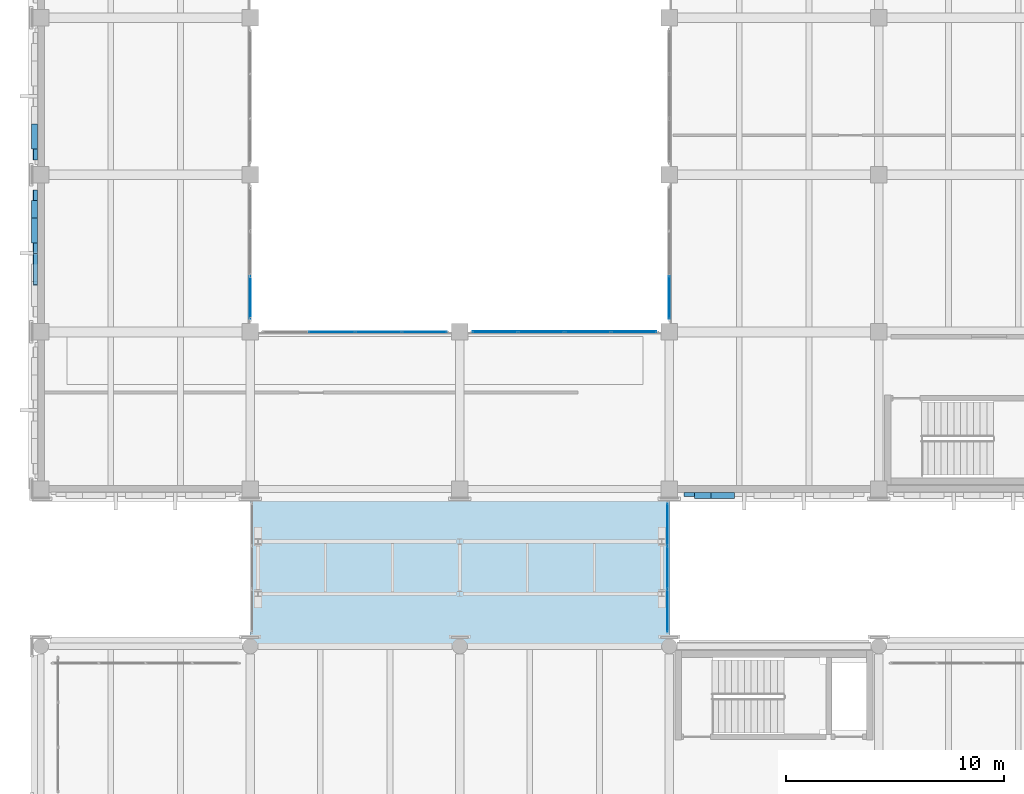
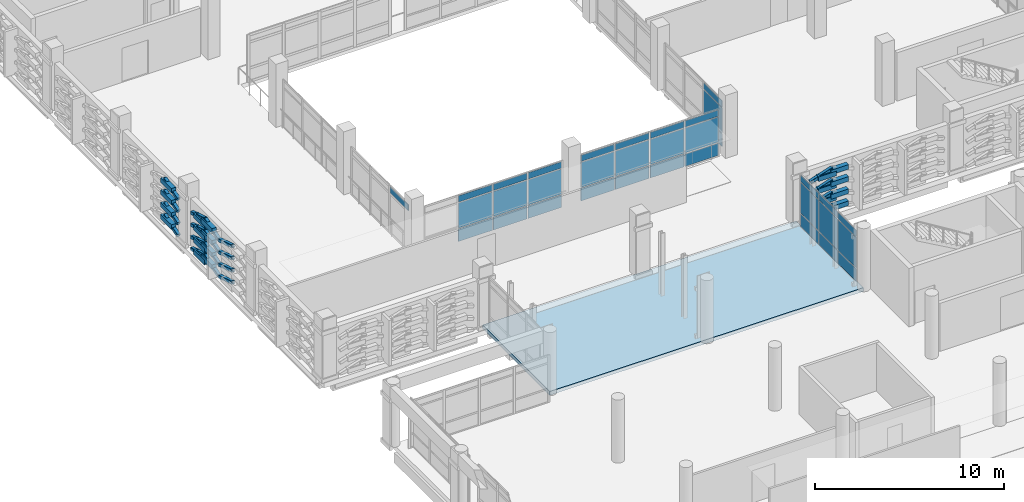
# One storey, part 130 of 180: 74 plates, 1 slab, 5 elements without a shape of their own.
"""IFC4 building model written with IfcOpenShell, lengths in metres."""

from ifc_helpers import new_model, si_unit, direction, frame, origin, origin_2d, place, context, subcontext, project, spatial, polyline, rectangle, hollow_rectangle, outline, extrude, material, layer, layer_set, material_profile, profile_set, type_object, element, aggregate, save


model = new_model("IFC4")

# Units and contexts
model_context = context("Model", 3, precision=1e-05, world=origin(), true_north=direction((0.0, 1.0)))
body_context = subcontext(model_context, "Body", "Model", "MODEL_VIEW")
ifc_project = project(units=[si_unit("LENGTHUNIT", "METRE"), si_unit("AREAUNIT", "SQUARE_METRE"), si_unit("VOLUMEUNIT", "CUBIC_METRE"), si_unit("PLANEANGLEUNIT", "RADIAN"), si_unit("MASSUNIT", "GRAM", prefix="KILO")], contexts=[model_context])

# Site, building, storey
site_placement = place(None, origin())
site = spatial("IfcSite", under=ifc_project, at=site_placement, CompositionType="ELEMENT")
building_placement = place(site_placement, origin())
building = spatial("IfcBuilding", under=site, at=building_placement, Name="Asteropetra Specialist Clinic", CompositionType="ELEMENT")
storey_placement = place(building_placement, frame((0.0, 0.0, 4.419921875)))
storey = spatial("IfcBuildingStorey", under=building, at=storey_placement, Name="L01", CompositionType="ELEMENT", Elevation=4.419921875)

# Plates
ifc_material_1 = material(Name="Chevron emerald aluminium 6063-T6", Category="aluminium")
ifc_material_profile = material_profile(ifc_material_1, hollow_rectangle(XDim=0.199951171875, YDim=0.199951171875, WallThickness=0.010009765625, InnerFilletRadius=0.008056640625, OuterFilletRadius=0.01611328125, at=origin_2d()), Name="SHS 200x200x10.0")
ifc_profile_set = profile_set([ifc_material_profile], Name="Chevron emerald aluminium 6063-T6")
plate_type_1 = type_object("IfcPlateType", Name="CHV-RIB-200", PredefinedType="SHEET", material=ifc_profile_set)
for number, where, z_axis, x_axis, name in (
    (1, (29.514892578125, 69.347900390625, 0.050048828125), (0.95244216645, 0.0, 0.304719411211), (0.0, 1.0, 0.0), "Chevron Facade Screen Fin CVR-0443"),
    (2, (29.514892578125, 69.347900390625, 0.820068359375), (0.95244216645, 0.0, 0.304719411211), (0.0, 1.0, 0.0), "Chevron Facade Screen Fin CVR-0445"),
    (3, (29.514892578125, 69.347900390625, 1.6201171875), (0.95244216645, 0.0, 0.304719411211), (0.0, 1.0, 0.0), "Chevron Facade Screen Fin CVR-0447"),
    (4, (29.514892578125, 69.347900390625, 2.400146484375), (0.95244216645, 0.0, 0.304719411211), (0.0, 1.0, 0.0), "Chevron Facade Screen Fin CVR-0449"),
):
    element("IfcPlate", number, at=place(storey_placement, frame(where, z_axis=z_axis, x_axis=x_axis)), inside=storey, type_object=plate_type_1, Name=name, PredefinedType="SHEET", context=body_context, shape_type="SweptSolid", body=[
        extrude(hollow_rectangle(XDim=0.199951171875, YDim=0.199951171875, WallThickness=0.010009765625, InnerFilletRadius=0.008056640625, OuterFilletRadius=0.01611328125, at=origin_2d()), origin(), (0.0, 0.0, 1.0), 1.415771484375),
    ])
plate_1_placement = place(storey_placement, frame((-0.251953125, 83.284912109375, 0.050048828125), z_axis=(0.0, -0.952491984317, 0.304563654777), x_axis=(1.0, 0.0, 0.0)))
element("IfcPlate", 5, at=plate_1_placement, inside=storey, type_object=plate_type_1, Name="Chevron Facade Screen Fin CVR-0699", PredefinedType="SHEET", context=body_context, shape_type="SweptSolid", body=[
    extrude(hollow_rectangle(XDim=0.199951171875, YDim=0.199951171875, WallThickness=0.010009765625, InnerFilletRadius=0.008056640625, OuterFilletRadius=0.01611328125, at=origin_2d()), origin(), (0.0, 0.0, 1.0), 1.50390625),
])
plate_2_placement = place(storey_placement, frame((-0.251953125, 81.8525390625, 0.508056640625), z_axis=(0.0, -0.952507040007, -0.304516565619), x_axis=(1.0, 0.0, 0.0)))
element("IfcPlate", 6, at=plate_2_placement, inside=storey, type_object=plate_type_1, Name="Chevron Facade Screen Fin CVR-0700", PredefinedType="SHEET", context=body_context, shape_type="SweptSolid", body=[
    extrude(hollow_rectangle(XDim=0.199951171875, YDim=0.199951171875, WallThickness=0.010009765625, InnerFilletRadius=0.008056640625, OuterFilletRadius=0.01611328125, at=origin_2d()), origin(), (0.0, 0.0, 1.0), 1.504150390625),
])
plate_3_placement = place(storey_placement, frame((-0.251953125, 83.284912109375, 0.820068359375), z_axis=(0.0, -0.952491984317, 0.304563654777), x_axis=(1.0, 0.0, 0.0)))
element("IfcPlate", 7, at=plate_3_placement, inside=storey, type_object=plate_type_1, Name="Chevron Facade Screen Fin CVR-0701", PredefinedType="SHEET", context=body_context, shape_type="SweptSolid", body=[
    extrude(hollow_rectangle(XDim=0.199951171875, YDim=0.199951171875, WallThickness=0.010009765625, InnerFilletRadius=0.008056640625, OuterFilletRadius=0.01611328125, at=origin_2d()), origin(), (0.0, 0.0, 1.0), 1.50390625),
])
plate_4_placement = place(storey_placement, frame((-0.251953125, 81.8525390625, 1.278076171875), z_axis=(0.0, -0.952507040007, -0.304516565619), x_axis=(1.0, 0.0, 0.0)))
element("IfcPlate", 8, at=plate_4_placement, inside=storey, type_object=plate_type_1, Name="Chevron Facade Screen Fin CVR-0702", PredefinedType="SHEET", context=body_context, shape_type="SweptSolid", body=[
    extrude(hollow_rectangle(XDim=0.199951171875, YDim=0.199951171875, WallThickness=0.010009765625, InnerFilletRadius=0.008056640625, OuterFilletRadius=0.01611328125, at=origin_2d()), origin(), (0.0, 0.0, 1.0), 1.504150390625),
])
plate_5_placement = place(storey_placement, frame((-0.251953125, 83.284912109375, 1.6201171875), z_axis=(0.0, -0.952491984317, 0.304563654777), x_axis=(1.0, 0.0, 0.0)))
element("IfcPlate", 9, at=plate_5_placement, inside=storey, type_object=plate_type_1, Name="Chevron Facade Screen Fin CVR-0703", PredefinedType="SHEET", context=body_context, shape_type="SweptSolid", body=[
    extrude(hollow_rectangle(XDim=0.199951171875, YDim=0.199951171875, WallThickness=0.010009765625, InnerFilletRadius=0.008056640625, OuterFilletRadius=0.01611328125, at=origin_2d()), origin(), (0.0, 0.0, 1.0), 1.50390625),
])
plate_6_placement = place(storey_placement, frame((-0.251953125, 81.8525390625, 2.078125), z_axis=(0.0, -0.952507040007, -0.304516565619), x_axis=(1.0, 0.0, 0.0)))
element("IfcPlate", 10, at=plate_6_placement, inside=storey, type_object=plate_type_1, Name="Chevron Facade Screen Fin CVR-0704", PredefinedType="SHEET", context=body_context, shape_type="SweptSolid", body=[
    extrude(hollow_rectangle(XDim=0.199951171875, YDim=0.199951171875, WallThickness=0.010009765625, InnerFilletRadius=0.008056640625, OuterFilletRadius=0.01611328125, at=origin_2d()), origin(), (0.0, 0.0, 1.0), 1.504150390625),
])
plate_7_placement = place(storey_placement, frame((-0.251953125, 83.284912109375, 2.400146484375), z_axis=(0.0, -0.952491984317, 0.304563654777), x_axis=(1.0, 0.0, 0.0)))
element("IfcPlate", 11, at=plate_7_placement, inside=storey, type_object=plate_type_1, Name="Chevron Facade Screen Fin CVR-0705", PredefinedType="SHEET", context=body_context, shape_type="SweptSolid", body=[
    extrude(hollow_rectangle(XDim=0.199951171875, YDim=0.199951171875, WallThickness=0.010009765625, InnerFilletRadius=0.008056640625, OuterFilletRadius=0.01611328125, at=origin_2d()), origin(), (0.0, 0.0, 1.0), 1.50390625),
])
plate_8_placement = place(storey_placement, frame((-0.251953125, 81.8525390625, 2.858154296875), z_axis=(0.0, -0.952507040007, -0.304516565619), x_axis=(1.0, 0.0, 0.0)))
element("IfcPlate", 12, at=plate_8_placement, inside=storey, type_object=plate_type_1, Name="Chevron Facade Screen Fin CVR-0706", PredefinedType="SHEET", context=body_context, shape_type="SweptSolid", body=[
    extrude(hollow_rectangle(XDim=0.199951171875, YDim=0.199951171875, WallThickness=0.010009765625, InnerFilletRadius=0.008056640625, OuterFilletRadius=0.01611328125, at=origin_2d()), origin(), (0.0, 0.0, 1.0), 1.504150390625),
])
for number, where, z_axis, x_axis, name in (
    (13, (-0.251953125, 80.3798828125, 0.050048828125), (0.0, -0.952491984317, 0.304563654777), (1.0, 0.0, 0.0), "Chevron Facade Screen Fin CVR-0707"),
    (14, (-0.251953125, 80.3798828125, 0.820068359375), (0.0, -0.952491984317, 0.304563654777), (1.0, 0.0, 0.0), "Chevron Facade Screen Fin CVR-0709"),
    (15, (-0.251953125, 80.3798828125, 1.6201171875), (0.0, -0.952491984317, 0.304563654777), (1.0, 0.0, 0.0), "Chevron Facade Screen Fin CVR-0711"),
    (16, (-0.251953125, 80.3798828125, 2.400146484375), (0.0, -0.952491984317, 0.304563654777), (1.0, 0.0, 0.0), "Chevron Facade Screen Fin CVR-0713"),
    (17, (-0.251953125, 86.1474609375, 0.508056640625), (0.0, -0.952491984317, -0.304563654777), (1.0, 0.0, 0.0), "Chevron Facade Screen Fin CVR-0724"),
    (18, (-0.251953125, 86.1474609375, 1.278076171875), (0.0, -0.952491984317, -0.304563654777), (1.0, 0.0, 0.0), "Chevron Facade Screen Fin CVR-0726"),
    (19, (-0.251953125, 86.1474609375, 2.078125), (0.0, -0.952491984317, -0.304563654777), (1.0, 0.0, 0.0), "Chevron Facade Screen Fin CVR-0728"),
    (20, (-0.251953125, 86.1474609375, 2.858154296875), (0.0, -0.952491984317, -0.304563654777), (1.0, 0.0, 0.0), "Chevron Facade Screen Fin CVR-0730"),
):
    element("IfcPlate", number, at=place(storey_placement, frame(where, z_axis=z_axis, x_axis=x_axis)), inside=storey, type_object=plate_type_1, Name=name, PredefinedType="SHEET", context=body_context, shape_type="SweptSolid", body=[
        extrude(hollow_rectangle(XDim=0.199951171875, YDim=0.199951171875, WallThickness=0.010009765625, InnerFilletRadius=0.008056640625, OuterFilletRadius=0.01611328125, at=origin_2d()), origin(), (0.0, 0.0, 1.0), 1.50390625),
    ])

# Curtain wall, plates
ifc_material_2 = material(Name="Aluminium and low-E glass", Category="aluminium")
ifc_layer_1 = layer(ifc_material_2, 0.135009765625)
ifc_layer_set_1 = layer_set([ifc_layer_1], Name="Aluminium and low-E glass")
curtain_wall_type_1 = type_object("IfcCurtainWallType", Name="CW-SYS-09", PredefinedType="USERDEFINED", material=ifc_layer_set_1)
curtain_wall_1_placement = place(storey_placement, origin())
curtain_wall_1 = element("IfcCurtainWall", 21, at=curtain_wall_1_placement, inside=storey, type_object=curtain_wall_type_1, Name="Curtain Wall CW-104", ObjectType="STICK GLAZED COLONNADE", PredefinedType="USERDEFINED")
ifc_material_3 = material(Name="Low-E double glazing", Category="glass")
ifc_layer_2 = layer(ifc_material_3, 0.028076171875)
ifc_layer_set_2 = layer_set([ifc_layer_2], Name="Low-E double glazing")
plate_type_2 = type_object("IfcPlateType", Name="CWP-GLZ-28", PredefinedType="CURTAIN_PANEL", material=ifc_layer_set_2)
plate_9_placement = place(storey_placement, frame((28.719970703125, 67.978271484375, 0.06005859375), z_axis=(0.0, 0.0, 1.0), x_axis=(0.0, -1.0, 0.0)))
plate_9 = element("IfcPlate", 22, at=plate_9_placement, type_object=plate_type_2, Name="CW-104 panel 1.1", PredefinedType="CURTAIN_PANEL", context=body_context, shape_type="SweptSolid", body=[
    extrude(rectangle(XDim=1.9033203125, YDim=0.028076171875, at=origin_2d()), origin(), (0.0, 0.0, 1.0), 0.81005859375),
])
plate_10_placement = place(storey_placement, frame((28.719970703125, 67.978271484375, 0.93017578125), z_axis=(0.0, 0.0, 1.0), x_axis=(0.0, -1.0, 0.0)))
plate_10 = element("IfcPlate", 23, at=plate_10_placement, type_object=plate_type_2, Name="CW-104 panel 1.2", PredefinedType="CURTAIN_PANEL", context=body_context, shape_type="SweptSolid", body=[
    extrude(rectangle(XDim=1.9033203125, YDim=0.028076171875, at=origin_2d()), origin(), (0.0, 0.0, 1.0), 1.969970703125),
])
plate_11_placement = place(storey_placement, frame((28.719970703125, 67.978271484375, 2.9599609375), z_axis=(0.0, 0.0, 1.0), x_axis=(0.0, -1.0, 0.0)))
plate_11 = element("IfcPlate", 24, at=plate_11_placement, type_object=plate_type_2, Name="CW-104 panel 1.3", PredefinedType="CURTAIN_PANEL", context=body_context, shape_type="SweptSolid", body=[
    extrude(rectangle(XDim=1.9033203125, YDim=0.028076171875, at=origin_2d()), origin(), (0.0, 0.0, 1.0), 0.409912109375),
])
plate_12_placement = place(storey_placement, frame((28.719970703125, 66.0, 0.06005859375), z_axis=(0.0, 0.0, 1.0), x_axis=(0.0, -1.0, 0.0)))
plate_12 = element("IfcPlate", 25, at=plate_12_placement, type_object=plate_type_2, Name="CW-104 panel 2.1", PredefinedType="CURTAIN_PANEL", context=body_context, shape_type="SweptSolid", body=[
    extrude(rectangle(XDim=1.933349609375, YDim=0.028076171875, at=origin_2d()), origin(), (0.0, 0.0, 1.0), 0.81005859375),
])
plate_13_placement = place(storey_placement, frame((28.719970703125, 66.0, 0.93017578125), z_axis=(0.0, 0.0, 1.0), x_axis=(0.0, -1.0, 0.0)))
plate_13 = element("IfcPlate", 26, at=plate_13_placement, type_object=plate_type_2, Name="CW-104 panel 2.2", PredefinedType="CURTAIN_PANEL", context=body_context, shape_type="SweptSolid", body=[
    extrude(rectangle(XDim=1.933349609375, YDim=0.028076171875, at=origin_2d()), origin(), (0.0, 0.0, 1.0), 1.969970703125),
])
plate_14_placement = place(storey_placement, frame((28.719970703125, 66.0, 2.9599609375), z_axis=(0.0, 0.0, 1.0), x_axis=(0.0, -1.0, 0.0)))
plate_14 = element("IfcPlate", 27, at=plate_14_placement, type_object=plate_type_2, Name="CW-104 panel 2.3", PredefinedType="CURTAIN_PANEL", context=body_context, shape_type="SweptSolid", body=[
    extrude(rectangle(XDim=1.933349609375, YDim=0.028076171875, at=origin_2d()), origin(), (0.0, 0.0, 1.0), 0.409912109375),
])
plate_15_placement = place(storey_placement, frame((28.719970703125, 64.021728515625, 0.06005859375), z_axis=(0.0, 0.0, 1.0), x_axis=(0.0, -1.0, 0.0)))
plate_15 = element("IfcPlate", 28, at=plate_15_placement, type_object=plate_type_2, Name="CW-104 panel 3.1", PredefinedType="CURTAIN_PANEL", context=body_context, shape_type="SweptSolid", body=[
    extrude(rectangle(XDim=1.9033203125, YDim=0.028076171875, at=origin_2d()), origin(), (0.0, 0.0, 1.0), 0.81005859375),
])
plate_16_placement = place(storey_placement, frame((28.719970703125, 64.021728515625, 0.93017578125), z_axis=(0.0, 0.0, 1.0), x_axis=(0.0, -1.0, 0.0)))
plate_16 = element("IfcPlate", 29, at=plate_16_placement, type_object=plate_type_2, Name="CW-104 panel 3.2", PredefinedType="CURTAIN_PANEL", context=body_context, shape_type="SweptSolid", body=[
    extrude(rectangle(XDim=1.9033203125, YDim=0.028076171875, at=origin_2d()), origin(), (0.0, 0.0, 1.0), 1.969970703125),
])
plate_17_placement = place(storey_placement, frame((28.719970703125, 64.021728515625, 2.9599609375), z_axis=(0.0, 0.0, 1.0), x_axis=(0.0, -1.0, 0.0)))
plate_17 = element("IfcPlate", 30, at=plate_17_placement, type_object=plate_type_2, Name="CW-104 panel 3.3", PredefinedType="CURTAIN_PANEL", context=body_context, shape_type="SweptSolid", body=[
    extrude(rectangle(XDim=1.9033203125, YDim=0.028076171875, at=origin_2d()), origin(), (0.0, 0.0, 1.0), 0.409912109375),
])
aggregate(curtain_wall_1, [plate_9, plate_10, plate_11, plate_12, plate_13, plate_14, plate_15, plate_16, plate_17])

ifc_material_4 = material(Name="Aluminium and low-E glass", Category="aluminium")
ifc_layer_3 = layer(ifc_material_4, 0.14990234375)
ifc_layer_set_3 = layer_set([ifc_layer_3], Name="Aluminium and low-E glass")
curtain_wall_type_2 = type_object("IfcCurtainWallType", Name="CW-SYS-02", PredefinedType="USERDEFINED", material=ifc_layer_set_3)
curtain_wall_2_placement = place(storey_placement, origin())
curtain_wall_2 = element("IfcCurtainWall", 31, at=curtain_wall_2_placement, inside=storey, type_object=curtain_wall_type_2, Name="Curtain Wall CW-017", ObjectType="UNITISED CURTAIN WALL", PredefinedType="USERDEFINED")
ifc_material_5 = material(Name="Low-E acoustic double glazing", Category="glass")
ifc_layer_4 = layer(ifc_material_5, 0.031982421875)
ifc_layer_set_4 = layer_set([ifc_layer_4], Name="Low-E acoustic double glazing")
plate_type_3 = type_object("IfcPlateType", Name="CWP-GLZ-32", PredefinedType="CURTAIN_PANEL", material=ifc_layer_set_4)
plate_18_placement = place(storey_placement, frame((13.333740234375, 76.800048828125, 0.06005859375), z_axis=(0.0, 0.0, 1.0), x_axis=(1.0, 0.0, 0.0)))
plate_18 = element("IfcPlate", 32, at=plate_18_placement, type_object=plate_type_3, Name="CW-017 panel 2.1", PredefinedType="CURTAIN_PANEL", context=body_context, shape_type="SweptSolid", body=[
    extrude(rectangle(XDim=2.072509765625, YDim=0.031982421875, at=origin_2d()), origin(), (0.0, 0.0, 1.0), 0.81005859375),
])
plate_19_placement = place(storey_placement, frame((13.333740234375, 76.800048828125, 0.929931640625), z_axis=(0.0, 0.0, 1.0), x_axis=(1.0, 0.0, 0.0)))
plate_19 = element("IfcPlate", 33, at=plate_19_placement, type_object=plate_type_3, Name="CW-017 panel 2.2", PredefinedType="CURTAIN_PANEL", context=body_context, shape_type="SweptSolid", body=[
    extrude(rectangle(XDim=2.072509765625, YDim=0.031982421875, at=origin_2d()), origin(), (0.0, 0.0, 1.0), 1.6201171875),
])
plate_20_placement = place(storey_placement, frame((13.333740234375, 76.800048828125, 2.6103515625), z_axis=(0.0, 0.0, 1.0), x_axis=(1.0, 0.0, 0.0)))
plate_20 = element("IfcPlate", 34, at=plate_20_placement, type_object=plate_type_3, Name="CW-017 panel 2.3", PredefinedType="CURTAIN_PANEL", context=body_context, shape_type="SweptSolid", body=[
    extrude(rectangle(XDim=2.072509765625, YDim=0.031982421875, at=origin_2d()), origin(), (0.0, 0.0, 1.0), 0.409912109375),
])
plate_21_placement = place(storey_placement, frame((15.46630859375, 76.800048828125, 0.06005859375), z_axis=(0.0, 0.0, 1.0), x_axis=(1.0, 0.0, 0.0)))
plate_21 = element("IfcPlate", 35, at=plate_21_placement, type_object=plate_type_3, Name="CW-017 panel 3.1", PredefinedType="CURTAIN_PANEL", context=body_context, shape_type="SweptSolid", body=[
    extrude(rectangle(XDim=2.072509765625, YDim=0.031982421875, at=origin_2d()), origin(), (0.0, 0.0, 1.0), 0.81005859375),
])
plate_22_placement = place(storey_placement, frame((15.46630859375, 76.800048828125, 0.929931640625), z_axis=(0.0, 0.0, 1.0), x_axis=(1.0, 0.0, 0.0)))
plate_22 = element("IfcPlate", 36, at=plate_22_placement, type_object=plate_type_3, Name="CW-017 panel 3.2", PredefinedType="CURTAIN_PANEL", context=body_context, shape_type="SweptSolid", body=[
    extrude(rectangle(XDim=2.072509765625, YDim=0.031982421875, at=origin_2d()), origin(), (0.0, 0.0, 1.0), 1.6201171875),
])
plate_23_placement = place(storey_placement, frame((15.46630859375, 76.800048828125, 2.6103515625), z_axis=(0.0, 0.0, 1.0), x_axis=(1.0, 0.0, 0.0)))
plate_23 = element("IfcPlate", 37, at=plate_23_placement, type_object=plate_type_3, Name="CW-017 panel 3.3", PredefinedType="CURTAIN_PANEL", context=body_context, shape_type="SweptSolid", body=[
    extrude(rectangle(XDim=2.072509765625, YDim=0.031982421875, at=origin_2d()), origin(), (0.0, 0.0, 1.0), 0.409912109375),
])
plate_24_placement = place(storey_placement, frame((17.583740234375, 76.800048828125, 0.06005859375), z_axis=(0.0, 0.0, 1.0), x_axis=(1.0, 0.0, 0.0)))
plate_24 = element("IfcPlate", 38, at=plate_24_placement, type_object=plate_type_3, Name="CW-017 panel 4.1", PredefinedType="CURTAIN_PANEL", context=body_context, shape_type="SweptSolid", body=[
    extrude(rectangle(XDim=2.04248046875, YDim=0.031982421875, at=origin_2d()), origin(), (0.0, 0.0, 1.0), 0.81005859375),
])
plate_25_placement = place(storey_placement, frame((17.583740234375, 76.800048828125, 0.929931640625), z_axis=(0.0, 0.0, 1.0), x_axis=(1.0, 0.0, 0.0)))
plate_25 = element("IfcPlate", 39, at=plate_25_placement, type_object=plate_type_3, Name="CW-017 panel 4.2", PredefinedType="CURTAIN_PANEL", context=body_context, shape_type="SweptSolid", body=[
    extrude(rectangle(XDim=2.04248046875, YDim=0.031982421875, at=origin_2d()), origin(), (0.0, 0.0, 1.0), 1.6201171875),
])
plate_26_placement = place(storey_placement, frame((17.583740234375, 76.800048828125, 2.6103515625), z_axis=(0.0, 0.0, 1.0), x_axis=(1.0, 0.0, 0.0)))
plate_26 = element("IfcPlate", 40, at=plate_26_placement, type_object=plate_type_3, Name="CW-017 panel 4.3", PredefinedType="CURTAIN_PANEL", context=body_context, shape_type="SweptSolid", body=[
    extrude(rectangle(XDim=2.04248046875, YDim=0.031982421875, at=origin_2d()), origin(), (0.0, 0.0, 1.0), 0.409912109375),
])
aggregate(curtain_wall_2, [plate_18, plate_19, plate_20, plate_21, plate_22, plate_23, plate_24, plate_25, plate_26])

# Curtain wall, plate
ifc_material_6 = material(Name="Aluminium and low-E glass", Category="aluminium")
ifc_layer_5 = layer(ifc_material_6, 0.179931640625)
ifc_layer_set_5 = layer_set([ifc_layer_5], Name="Aluminium and low-E glass")
curtain_wall_type_3 = type_object("IfcCurtainWallType", Name="CW-SYS-04", PredefinedType="USERDEFINED", material=ifc_layer_set_5)
curtain_wall_3_placement = place(storey_placement, origin())
curtain_wall_3 = element("IfcCurtainWall", 41, at=curtain_wall_3_placement, inside=storey, type_object=curtain_wall_type_3, Name="Curtain Wall CW-021", ObjectType="UNITISED CURTAIN WALL", PredefinedType="USERDEFINED")
plate_27_placement = place(storey_placement, frame((9.60009765625, 78.37548828125, 2.61767578125), z_axis=(0.0, 0.0, 1.0), x_axis=(0.0, -1.0, 0.0)))
plate_27 = element("IfcPlate", 42, at=plate_27_placement, type_object=plate_type_3, Name="CW-021 panel 3.3", PredefinedType="CURTAIN_PANEL", context=body_context, shape_type="SweptSolid", body=[
    extrude(rectangle(XDim=1.930908203125, YDim=0.031982421875, at=origin_2d()), origin(), (0.0, 0.0, 1.0), 0.387451171875),
])
aggregate(curtain_wall_3, [plate_27])

# Curtain wall, plates
ifc_material_7 = material(Name="Aluminium and low-E glass", Category="aluminium")
ifc_layer_6 = layer(ifc_material_7, 0.14990234375)
ifc_layer_set_6 = layer_set([ifc_layer_6], Name="Aluminium and low-E glass")
curtain_wall_type_4 = type_object("IfcCurtainWallType", Name="CW-SYS-05", PredefinedType="USERDEFINED", material=ifc_layer_set_6)
curtain_wall_4_placement = place(storey_placement, origin())
curtain_wall_4 = element("IfcCurtainWall", 43, at=curtain_wall_4_placement, inside=storey, type_object=curtain_wall_type_4, Name="Curtain Wall CW-022", ObjectType="UNITISED CURTAIN WALL", PredefinedType="USERDEFINED")
ifc_material_8 = material(Name="Solar-control triple glazing", Category="glass")
ifc_layer_7 = layer(ifc_material_8, 0.035888671875)
ifc_layer_set_7 = layer_set([ifc_layer_7], Name="Solar-control triple glazing")
plate_type_4 = type_object("IfcPlateType", Name="CWP-GLZ-36", PredefinedType="CURTAIN_PANEL", material=ifc_layer_set_7)
plate_28_placement = place(storey_placement, frame((28.800048828125, 78.372802734375, 0.06494140625), z_axis=(0.0, 0.0, 1.0), x_axis=(0.0, 1.0, 0.0)))
plate_28 = element("IfcPlate", 44, at=plate_28_placement, type_object=plate_type_4, Name="CW-022 panel 1.1", PredefinedType="CURTAIN_PANEL", context=body_context, shape_type="SweptSolid", body=[
    extrude(rectangle(XDim=1.94580078125, YDim=0.035888671875, at=origin_2d()), origin(), (0.0, 0.0, 1.0), 0.802490234375),
])
plate_29_placement = place(storey_placement, frame((28.800048828125, 78.372802734375, 0.9326171875), z_axis=(0.0, 0.0, 1.0), x_axis=(0.0, 1.0, 0.0)))
plate_29 = element("IfcPlate", 45, at=plate_29_placement, type_object=plate_type_4, Name="CW-022 panel 1.2", PredefinedType="CURTAIN_PANEL", context=body_context, shape_type="SweptSolid", body=[
    extrude(rectangle(XDim=1.94580078125, YDim=0.035888671875, at=origin_2d()), origin(), (0.0, 0.0, 1.0), 1.614990234375),
])
plate_30_placement = place(storey_placement, frame((28.800048828125, 78.372802734375, 2.6123046875), z_axis=(0.0, 0.0, 1.0), x_axis=(0.0, 1.0, 0.0)))
plate_30 = element("IfcPlate", 46, at=plate_30_placement, type_object=plate_type_4, Name="CW-022 panel 1.3", PredefinedType="CURTAIN_PANEL", context=body_context, shape_type="SweptSolid", body=[
    extrude(rectangle(XDim=1.94580078125, YDim=0.035888671875, at=origin_2d()), origin(), (0.0, 0.0, 1.0), 0.402587890625),
])
aggregate(curtain_wall_4, [plate_28, plate_29, plate_30])

ifc_material_9 = material(Name="Aluminium and low-E glass", Category="aluminium")
ifc_layer_8 = layer(ifc_material_9, 0.135009765625)
ifc_layer_set_8 = layer_set([ifc_layer_8], Name="Aluminium and low-E glass")
curtain_wall_type_5 = type_object("IfcCurtainWallType", Name="CW-SYS-03", PredefinedType="USERDEFINED", material=ifc_layer_set_8)
curtain_wall_5_placement = place(storey_placement, origin())
curtain_wall_5 = element("IfcCurtainWall", 47, at=curtain_wall_5_placement, inside=storey, type_object=curtain_wall_type_5, Name="Curtain Wall CW-019", ObjectType="UNITISED CURTAIN WALL", PredefinedType="USERDEFINED")
ifc_material_10 = material(Name="Laminated skylight glazing", Category="glass")
ifc_layer_9 = layer(ifc_material_10, 0.0400390625)
ifc_layer_set_9 = layer_set([ifc_layer_9], Name="Laminated skylight glazing")
plate_type_5 = type_object("IfcPlateType", Name="CWP-GLZ-40", PredefinedType="CURTAIN_PANEL", material=ifc_layer_set_9)
plate_31_placement = place(storey_placement, frame((20.8173828125, 76.800048828125, 0.06494140625), z_axis=(0.0, 0.0, 1.0), x_axis=(1.0, 0.0, 0.0)))
plate_31 = element("IfcPlate", 48, at=plate_31_placement, type_object=plate_type_5, Name="CW-019 panel 1.1", PredefinedType="CURTAIN_PANEL", context=body_context, shape_type="SweptSolid", body=[
    extrude(rectangle(XDim=2.034912109375, YDim=0.0400390625, at=origin_2d()), origin(), (0.0, 0.0, 1.0), 0.802490234375),
])
plate_32_placement = place(storey_placement, frame((20.8173828125, 76.800048828125, 0.9326171875), z_axis=(0.0, 0.0, 1.0), x_axis=(1.0, 0.0, 0.0)))
plate_32 = element("IfcPlate", 49, at=plate_32_placement, type_object=plate_type_5, Name="CW-019 panel 1.2", PredefinedType="CURTAIN_PANEL", context=body_context, shape_type="SweptSolid", body=[
    extrude(rectangle(XDim=2.034912109375, YDim=0.0400390625, at=origin_2d()), origin(), (0.0, 0.0, 1.0), 1.614990234375),
])
plate_33_placement = place(storey_placement, frame((20.8173828125, 76.800048828125, 2.6123046875), z_axis=(0.0, 0.0, 1.0), x_axis=(1.0, 0.0, 0.0)))
plate_33 = element("IfcPlate", 50, at=plate_33_placement, type_object=plate_type_5, Name="CW-019 panel 1.3", PredefinedType="CURTAIN_PANEL", context=body_context, shape_type="SweptSolid", body=[
    extrude(rectangle(XDim=2.034912109375, YDim=0.0400390625, at=origin_2d()), origin(), (0.0, 0.0, 1.0), 0.402587890625),
])
plate_34_placement = place(storey_placement, frame((22.933837890625, 76.800048828125, 0.06494140625), z_axis=(0.0, 0.0, 1.0), x_axis=(1.0, 0.0, 0.0)))
plate_34 = element("IfcPlate", 51, at=plate_34_placement, type_object=plate_type_5, Name="CW-019 panel 2.1", PredefinedType="CURTAIN_PANEL", context=body_context, shape_type="SweptSolid", body=[
    extrude(rectangle(XDim=2.0673828125, YDim=0.0400390625, at=origin_2d()), origin(), (0.0, 0.0, 1.0), 0.802490234375),
])
plate_35_placement = place(storey_placement, frame((22.933837890625, 76.800048828125, 0.9326171875), z_axis=(0.0, 0.0, 1.0), x_axis=(1.0, 0.0, 0.0)))
plate_35 = element("IfcPlate", 52, at=plate_35_placement, type_object=plate_type_5, Name="CW-019 panel 2.2", PredefinedType="CURTAIN_PANEL", context=body_context, shape_type="SweptSolid", body=[
    extrude(rectangle(XDim=2.0673828125, YDim=0.0400390625, at=origin_2d()), origin(), (0.0, 0.0, 1.0), 1.614990234375),
])
plate_36_placement = place(storey_placement, frame((22.933837890625, 76.800048828125, 2.6123046875), z_axis=(0.0, 0.0, 1.0), x_axis=(1.0, 0.0, 0.0)))
plate_36 = element("IfcPlate", 53, at=plate_36_placement, type_object=plate_type_5, Name="CW-019 panel 2.3", PredefinedType="CURTAIN_PANEL", context=body_context, shape_type="SweptSolid", body=[
    extrude(rectangle(XDim=2.0673828125, YDim=0.0400390625, at=origin_2d()), origin(), (0.0, 0.0, 1.0), 0.402587890625),
])
plate_37_placement = place(storey_placement, frame((25.066162109375, 76.800048828125, 0.06494140625), z_axis=(0.0, 0.0, 1.0), x_axis=(1.0, 0.0, 0.0)))
plate_37 = element("IfcPlate", 54, at=plate_37_placement, type_object=plate_type_5, Name="CW-019 panel 3.1", PredefinedType="CURTAIN_PANEL", context=body_context, shape_type="SweptSolid", body=[
    extrude(rectangle(XDim=2.0673828125, YDim=0.0400390625, at=origin_2d()), origin(), (0.0, 0.0, 1.0), 0.802490234375),
])
plate_38_placement = place(storey_placement, frame((25.066162109375, 76.800048828125, 0.9326171875), z_axis=(0.0, 0.0, 1.0), x_axis=(1.0, 0.0, 0.0)))
plate_38 = element("IfcPlate", 55, at=plate_38_placement, type_object=plate_type_5, Name="CW-019 panel 3.2", PredefinedType="CURTAIN_PANEL", context=body_context, shape_type="SweptSolid", body=[
    extrude(rectangle(XDim=2.0673828125, YDim=0.0400390625, at=origin_2d()), origin(), (0.0, 0.0, 1.0), 1.614990234375),
])
plate_39_placement = place(storey_placement, frame((25.066162109375, 76.800048828125, 2.6123046875), z_axis=(0.0, 0.0, 1.0), x_axis=(1.0, 0.0, 0.0)))
plate_39 = element("IfcPlate", 56, at=plate_39_placement, type_object=plate_type_5, Name="CW-019 panel 3.3", PredefinedType="CURTAIN_PANEL", context=body_context, shape_type="SweptSolid", body=[
    extrude(rectangle(XDim=2.0673828125, YDim=0.0400390625, at=origin_2d()), origin(), (0.0, 0.0, 1.0), 0.402587890625),
])
plate_40_placement = place(storey_placement, frame((27.1826171875, 76.800048828125, 0.06494140625), z_axis=(0.0, 0.0, 1.0), x_axis=(1.0, 0.0, 0.0)))
plate_40 = element("IfcPlate", 57, at=plate_40_placement, type_object=plate_type_5, Name="CW-019 panel 4.1", PredefinedType="CURTAIN_PANEL", context=body_context, shape_type="SweptSolid", body=[
    extrude(rectangle(XDim=2.034912109375, YDim=0.0400390625, at=origin_2d()), origin(), (0.0, 0.0, 1.0), 0.802490234375),
])
plate_41_placement = place(storey_placement, frame((27.1826171875, 76.800048828125, 0.9326171875), z_axis=(0.0, 0.0, 1.0), x_axis=(1.0, 0.0, 0.0)))
plate_41 = element("IfcPlate", 58, at=plate_41_placement, type_object=plate_type_5, Name="CW-019 panel 4.2", PredefinedType="CURTAIN_PANEL", context=body_context, shape_type="SweptSolid", body=[
    extrude(rectangle(XDim=2.034912109375, YDim=0.0400390625, at=origin_2d()), origin(), (0.0, 0.0, 1.0), 1.614990234375),
])
plate_42_placement = place(storey_placement, frame((27.1826171875, 76.800048828125, 2.6123046875), z_axis=(0.0, 0.0, 1.0), x_axis=(1.0, 0.0, 0.0)))
plate_42 = element("IfcPlate", 59, at=plate_42_placement, type_object=plate_type_5, Name="CW-019 panel 4.3", PredefinedType="CURTAIN_PANEL", context=body_context, shape_type="SweptSolid", body=[
    extrude(rectangle(XDim=2.034912109375, YDim=0.0400390625, at=origin_2d()), origin(), (0.0, 0.0, 1.0), 0.402587890625),
])
aggregate(curtain_wall_5, [plate_31, plate_32, plate_33, plate_34, plate_35, plate_36, plate_37, plate_38, plate_39, plate_40, plate_41, plate_42])

# Plates
ifc_material_11 = material(Name="Aluminium 6063-T6", Category="aluminium")
ifc_layer_10 = layer(ifc_material_11, 0.139892578125)
ifc_layer_set_10 = layer_set([ifc_layer_10], Name="Aluminium 6063-T6")
plate_type_6 = type_object("IfcPlateType", Name="PLT-CHV-TILE", PredefinedType="SHEET", material=ifc_layer_set_10)
for number, where, z_axis, x_axis, name in (
    (60, (30.48583984375, 69.31005859375, 0.029296875), (0.0, 0.0, 1.0), (1.0, 0.0, 0.0), "Chevron Ceramic Panel CPT-0081"),
    (61, (31.240966796875, 69.31005859375, 0.193359375), (0.0, 0.0, 1.0), (1.0, 0.0, 0.0), "Chevron Ceramic Panel CPT-0082"),
    (62, (30.48583984375, 69.31005859375, 0.79931640625), (0.0, 0.0, 1.0), (1.0, 0.0, 0.0), "Chevron Ceramic Panel CPT-0083"),
    (63, (31.240966796875, 69.31005859375, 0.96337890625), (0.0, 0.0, 1.0), (1.0, 0.0, 0.0), "Chevron Ceramic Panel CPT-0084"),
    (64, (30.48583984375, 69.31005859375, 1.599609375), (0.0, 0.0, 1.0), (1.0, 0.0, 0.0), "Chevron Ceramic Panel CPT-0085"),
    (65, (31.240966796875, 69.31005859375, 1.763671875), (0.0, 0.0, 1.0), (1.0, 0.0, 0.0), "Chevron Ceramic Panel CPT-0086"),
    (66, (30.48583984375, 69.31005859375, 2.37939453125), (0.0, 0.0, 1.0), (1.0, 0.0, 0.0), "Chevron Ceramic Panel CPT-0087"),
    (67, (31.240966796875, 69.31005859375, 2.54345703125), (0.0, 0.0, 1.0), (1.0, 0.0, 0.0), "Chevron Ceramic Panel CPT-0088"),
):
    element("IfcPlate", number, at=place(storey_placement, frame(where, z_axis=z_axis, x_axis=x_axis)), inside=storey, type_object=plate_type_6, Name=name, PredefinedType="SHEET", context=body_context, shape_type="SweptSolid", body=[
        extrude(rectangle(XDim=1.0791015625, YDim=0.280029296875, at=origin_2d()), origin(), (0.0, 0.0, 1.0), 0.300048828125),
    ])
for number, where, z_axis, x_axis, name in (
    (68, (-0.2900390625, 82.253662109375, 0.03759765625), (0.0, 0.0, 1.0), (1.0, 0.0, 0.0), "Chevron Ceramic Panel CPT-0337"),
    (69, (-0.2900390625, 81.451416015625, 0.21142578125), (0.0, 0.0, 1.0), (1.0, 0.0, 0.0), "Chevron Ceramic Panel CPT-0338"),
    (70, (-0.2900390625, 82.253662109375, 0.8076171875), (0.0, 0.0, 1.0), (1.0, 0.0, 0.0), "Chevron Ceramic Panel CPT-0339"),
    (71, (-0.2900390625, 81.451416015625, 0.9814453125), (0.0, 0.0, 1.0), (1.0, 0.0, 0.0), "Chevron Ceramic Panel CPT-0340"),
    (72, (-0.2900390625, 82.253662109375, 1.607421875), (0.0, 0.0, 1.0), (1.0, 0.0, 0.0), "Chevron Ceramic Panel CPT-0341"),
    (73, (-0.2900390625, 81.451416015625, 1.78125), (0.0, 0.0, 1.0), (1.0, 0.0, 0.0), "Chevron Ceramic Panel CPT-0342"),
    (74, (-0.2900390625, 82.253662109375, 2.3876953125), (0.0, 0.0, 1.0), (1.0, 0.0, 0.0), "Chevron Ceramic Panel CPT-0343"),
    (75, (-0.2900390625, 81.451416015625, 2.5615234375), (0.0, 0.0, 1.0), (1.0, 0.0, 0.0), "Chevron Ceramic Panel CPT-0344"),
    (76, (-0.2900390625, 85.746337890625, 0.21142578125), (0.0, 0.0, 1.0), (1.0, 0.0, 0.0), "Chevron Ceramic Panel CPT-0362"),
    (77, (-0.2900390625, 85.746337890625, 0.9814453125), (0.0, 0.0, 1.0), (1.0, 0.0, 0.0), "Chevron Ceramic Panel CPT-0364"),
    (78, (-0.2900390625, 85.746337890625, 1.78125), (0.0, 0.0, 1.0), (1.0, 0.0, 0.0), "Chevron Ceramic Panel CPT-0366"),
    (79, (-0.2900390625, 85.746337890625, 2.5615234375), (0.0, 0.0, 1.0), (1.0, 0.0, 0.0), "Chevron Ceramic Panel CPT-0368"),
):
    element("IfcPlate", number, at=place(storey_placement, frame(where, z_axis=z_axis, x_axis=x_axis)), inside=storey, type_object=plate_type_6, Name=name, PredefinedType="SHEET", context=body_context, shape_type="SweptSolid", body=[
        extrude(rectangle(XDim=0.280029296875, YDim=1.14599609375, at=origin_2d()), origin(), (0.0, 0.0, 1.0), 0.300048828125),
    ])

# Slab
ifc_material_12 = material(Name="Concrete C35/45", Category="concrete")
ifc_layer_11 = layer(ifc_material_12, 0.239990234375)
ifc_layer_set_11 = layer_set([ifc_layer_11], Name="Concrete C35/45")
slab_type = type_object("IfcSlabType", Name="SLB-FLR-240", PredefinedType="FLOOR", material=ifc_layer_set_11)
slab_placement = place(storey_placement, frame((0.0, 0.0, -0.239990234375)))
element("IfcSlab", 80, at=slab_placement, inside=storey, type_object=slab_type, Name="Slab LP2 L01", PredefinedType="FLOOR", context=body_context, shape_type="SweptSolid", body=[
    extrude(outline(polyline([(9.60009765625, 62.43994140625), (28.800048828125, 62.43994140625), (28.800048828125, 69.56005859375), (9.60009765625, 69.56005859375), (9.60009765625, 62.43994140625)])), origin(), (0.0, 0.0, 1.0), 0.239990234375),
])

save(model, "model.ifc")
